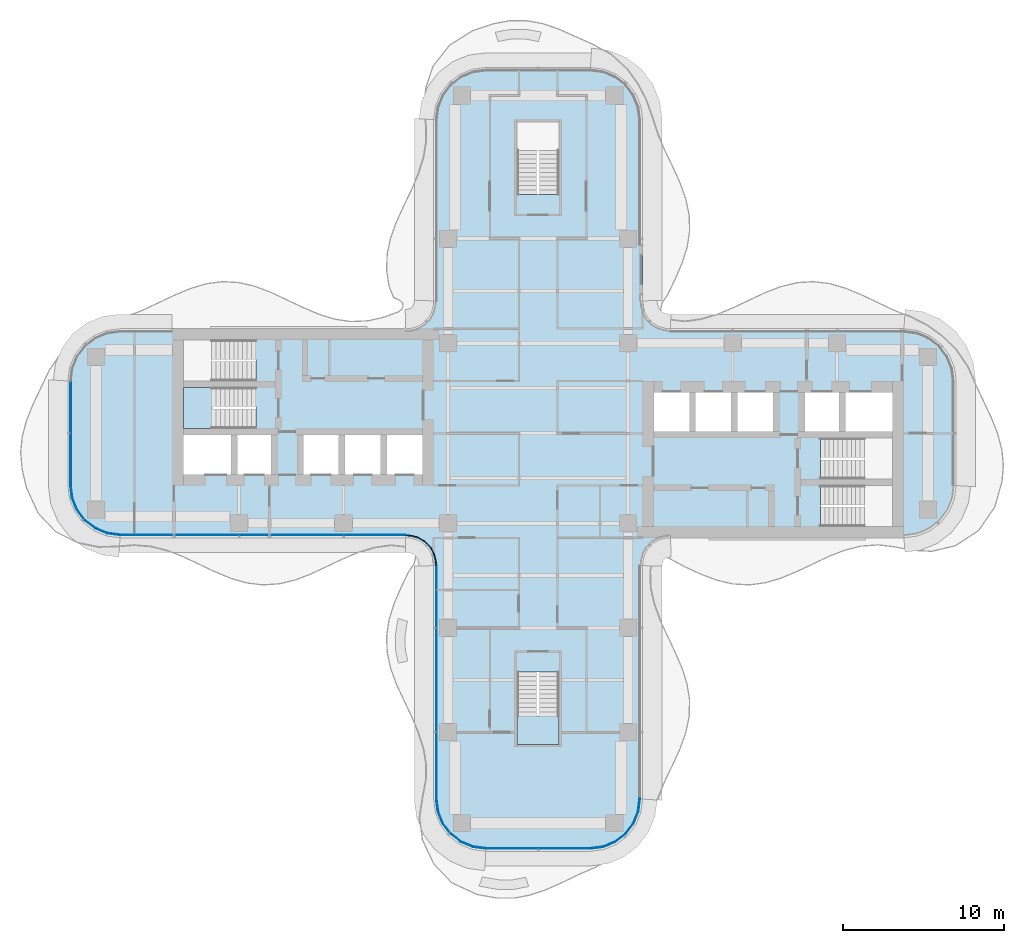
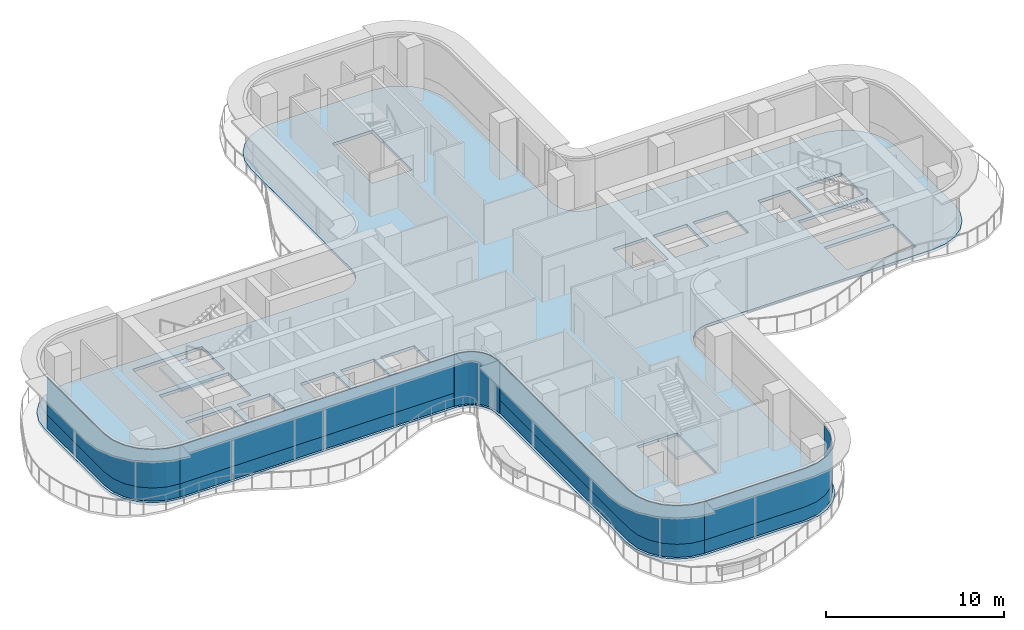
# One storey, part 10 of 18: 9 plates, 3 slabs, 7 elements without a shape of their own.
"""IFC4 building model written with IfcOpenShell, lengths in metres."""

from ifc_helpers import new_model, si_unit, direction, frame, origin, place, context, subcontext, project, spatial, polyline, outline, extrude, source, transform, mapped, material, layer, layer_set, type_object, element, aggregate, save


model = new_model("IFC4")

# Units and contexts
model_context = context("Model", 3, precision=1e-05, world=origin(), true_north=direction((0.0, 1.0)))
body_context = subcontext(model_context, "Body", "Model", "MODEL_VIEW")
ifc_project = project(units=[si_unit("LENGTHUNIT", "METRE"), si_unit("AREAUNIT", "SQUARE_METRE"), si_unit("VOLUMEUNIT", "CUBIC_METRE"), si_unit("PLANEANGLEUNIT", "RADIAN"), si_unit("MASSUNIT", "GRAM", prefix="KILO")], contexts=[model_context])

# Site, building, storey
site_placement = place(None, origin())
site = spatial("IfcSite", under=ifc_project, at=site_placement, CompositionType="ELEMENT")
building_placement = place(site_placement, origin())
building = spatial("IfcBuilding", under=site, at=building_placement, Name="Trellis Farm Tower", CompositionType="ELEMENT")
storey_placement = place(building_placement, frame((0.0, 0.0, 224.60009765625)))
storey = spatial("IfcBuildingStorey", under=building, at=storey_placement, Name="L49", CompositionType="ELEMENT", Elevation=224.60009765625)

# Slab
ifc_material_1 = material(Name="Concrete C40/50", Category="concrete")
ifc_layer_1 = layer(ifc_material_1, 0.199951171875)
ifc_layer_set_1 = layer_set([ifc_layer_1], Name="Composite deck floor slab 200")
slab_type_1 = type_object("IfcSlabType", Name="Composite deck floor slab 200", PredefinedType="FLOOR", material=ifc_layer_set_1)
slab_1_placement = place(storey_placement, frame((0.0, 0.0, -0.2001953125)))
element("IfcSlab", 1, at=slab_1_placement, inside=storey, type_object=slab_type_1, Name="Floor slab", PredefinedType="FLOOR", context=body_context, shape_type="SweptSolid", body=[
    extrude(outline(polyline([(-26.84130859375, -6.389404296875), (-27.625, -6.064697265625), (-28.298095703125, -5.548095703125), (-28.814697265625, -4.875), (-29.139404296875, -4.09130859375), (-29.25, -3.25), (-29.25, 3.25), (-29.139404296875, 4.09130859375), (-28.814697265625, 4.875), (-28.298095703125, 5.548095703125), (-27.625, 6.064697265625), (-26.84130859375, 6.389404296875), (-26.0, 6.5), (-8.2314453125, 6.5), (-8.01953125, 6.513916015625), (-7.91552734375, 6.527587890625), (-7.508544921875, 6.63671875), (-7.144287109375, 6.846923828125), (-6.846923828125, 7.144287109375), (-6.63671875, 7.508544921875), (-6.527587890625, 7.91552734375), (-6.513916015625, 8.01953125), (-6.5, 8.2314453125), (-6.5, 19.5), (-6.389404296875, 20.34130859375), (-6.064697265625, 21.125), (-5.548095703125, 21.798095703125), (-4.875, 22.314697265625), (-4.09130859375, 22.639404296875), (-3.25, 22.75), (3.25, 22.75), (4.09130859375, 22.639404296875), (4.875, 22.314697265625), (5.548095703125, 21.798095703125), (6.064697265625, 21.125), (6.389404296875, 20.34130859375), (6.5, 19.5), (6.5, 8.2314453125), (6.513916015625, 8.01953125), (6.527587890625, 7.91552734375), (6.63671875, 7.508544921875), (6.846923828125, 7.144287109375), (7.144287109375, 6.846923828125), (7.508544921875, 6.63671875), (7.91552734375, 6.527587890625), (8.01953125, 6.513916015625), (8.2314453125, 6.5), (22.75, 6.5), (23.59130859375, 6.389404296875), (24.375, 6.064697265625), (25.048095703125, 5.548095703125), (25.564697265625, 4.875), (25.889404296875, 4.09130859375), (26.0, 3.25), (26.0, -3.25), (25.889404296875, -4.09130859375), (25.564697265625, -4.875), (25.048095703125, -5.548095703125), (24.375, -6.064697265625), (23.59130859375, -6.389404296875), (22.75, -6.5), (8.2314453125, -6.5), (8.01953125, -6.513916015625), (7.91552734375, -6.527587890625), (7.508544921875, -6.63671875), (7.144287109375, -6.846923828125), (6.846923828125, -7.144287109375), (6.63671875, -7.508544921875), (6.527587890625, -7.91552734375), (6.513916015625, -8.01953125), (6.5, -8.2314453125), (6.5, -22.75), (6.389404296875, -23.59130859375), (6.064697265625, -24.375), (5.548095703125, -25.048095703125), (4.875, -25.564697265625), (4.09130859375, -25.889404296875), (3.25, -26.0), (-3.25, -26.0), (-4.09130859375, -25.889404296875), (-4.875, -25.564697265625), (-5.548095703125, -25.048095703125), (-6.064697265625, -24.375), (-6.389404296875, -23.59130859375), (-6.5, -22.75), (-6.5, -8.2314453125), (-6.513916015625, -8.01953125), (-6.527587890625, -7.91552734375), (-6.63671875, -7.508544921875), (-6.846923828125, -7.144287109375), (-7.144287109375, -6.846923828125), (-7.508544921875, -6.63671875), (-7.91552734375, -6.527587890625), (-8.01953125, -6.513916015625), (-8.2314453125, -6.5), (-26.0, -6.5), (-26.84130859375, -6.389404296875)]), holes=[polyline([(-22.050048828125, -0.10009765625), (-22.050048828125, -2.550048828125), (-19.10009765625, -2.550048828125), (-19.10009765625, -0.10009765625), (-22.050048828125, -0.10009765625)]), polyline([(-18.699951171875, -0.10009765625), (-18.699951171875, -2.550048828125), (-16.60009765625, -2.550048828125), (-16.60009765625, -0.10009765625), (-18.699951171875, -0.10009765625)]), polyline([(-14.60009765625, -0.10009765625), (-14.60009765625, -2.550048828125), (-12.39990234375, -2.550048828125), (-12.39990234375, -0.10009765625), (-14.60009765625, -0.10009765625)]), polyline([(-12.0, -0.10009765625), (-12.0, -2.550048828125), (-9.800048828125, -2.550048828125), (-9.800048828125, -0.10009765625), (-12.0, -0.10009765625)]), polyline([(-9.39990234375, -0.10009765625), (-9.39990234375, -2.550048828125), (-7.199951171875, -2.550048828125), (-7.199951171875, -0.10009765625), (-9.39990234375, -0.10009765625)]), polyline([(-17.56201171875, 1.64990234375), (-17.56201171875, 2.85009765625), (-22.050048828125, 2.85009765625), (-22.050048828125, 0.300048828125), (-17.56005859375, 0.300048828125), (-17.56005859375, 1.5), (-17.550048828125, 1.5), (-17.550048828125, 1.64990234375), (-17.56201171875, 1.64990234375)]), polyline([(-17.56201171875, 4.60009765625), (-17.56201171875, 5.800048828125), (-22.050048828125, 5.800048828125), (-22.050048828125, 3.25), (-17.56005859375, 3.25), (-17.56005859375, 4.449951171875), (-17.550048828125, 4.449951171875), (-17.550048828125, 4.60009765625), (-17.56201171875, 4.60009765625)]), polyline([(0.10009765625, 14.862060546875), (1.300048828125, 14.862060546875), (1.300048828125, 19.35009765625), (-1.300048828125, 19.35009765625), (-1.300048828125, 14.860107421875), (-0.10009765625, 14.860107421875), (-0.10009765625, 14.85009765625), (0.10009765625, 14.85009765625), (0.10009765625, 14.862060546875)]), polyline([(-0.10009765625, -14.862060546875), (-1.300048828125, -14.862060546875), (-1.300048828125, -19.35009765625), (1.300048828125, -19.35009765625), (1.300048828125, -14.860107421875), (0.10009765625, -14.860107421875), (0.10009765625, -14.85009765625), (-0.10009765625, -14.85009765625), (-0.10009765625, -14.862060546875)]), polyline([(17.56201171875, -4.60009765625), (17.56201171875, -5.800048828125), (22.050048828125, -5.800048828125), (22.050048828125, -3.25), (17.56005859375, -3.25), (17.56005859375, -4.449951171875), (17.550048828125, -4.449951171875), (17.550048828125, -4.60009765625), (17.56201171875, -4.60009765625)]), polyline([(17.56201171875, -1.64990234375), (17.56201171875, -2.85009765625), (22.050048828125, -2.85009765625), (22.050048828125, -0.300048828125), (17.56005859375, -0.300048828125), (17.56005859375, -1.5), (17.550048828125, -1.5), (17.550048828125, -1.64990234375), (17.56201171875, -1.64990234375)]), polyline([(9.39990234375, 0.10009765625), (9.39990234375, 2.550048828125), (7.199951171875, 2.550048828125), (7.199951171875, 0.10009765625), (9.39990234375, 0.10009765625)]), polyline([(12.0, 0.10009765625), (12.0, 2.550048828125), (9.800048828125, 2.550048828125), (9.800048828125, 0.10009765625), (12.0, 0.10009765625)]), polyline([(14.60009765625, 0.10009765625), (14.60009765625, 2.550048828125), (12.39990234375, 2.550048828125), (12.39990234375, 0.10009765625), (14.60009765625, 0.10009765625)]), polyline([(18.699951171875, 0.10009765625), (18.699951171875, 2.550048828125), (16.60009765625, 2.550048828125), (16.60009765625, 0.10009765625), (18.699951171875, 0.10009765625)]), polyline([(22.050048828125, 0.10009765625), (22.050048828125, 2.550048828125), (19.10009765625, 2.550048828125), (19.10009765625, 0.10009765625), (22.050048828125, 0.10009765625)])]), origin(), (0.0, 0.0, 1.0), 0.2001953125),
])

# Stair, slab
ifc_material_2 = material(Name="Concrete C50/60", Category="concrete")
stair_type = type_object("IfcStairType", Name="CORE EXIT STAIR 22 RISERS 177 MM", PredefinedType="HALF_TURN_STAIR", material=ifc_material_2)
placement_1 = place(storey_placement, origin())
stair_1 = element("IfcStair", 2, at=placement_1, inside=storey, type_object=stair_type, Name="Exit stair S", PredefinedType="HALF_TURN_STAIR")
ifc_layer_2 = layer(ifc_material_2, 0.18994140625)
ifc_layer_set_2 = layer_set([ifc_layer_2], Name="CORE STAIR LANDING 190 CONCRETE C50/60")
slab_type_2 = type_object("IfcSlabType", Name="CORE STAIR LANDING 190 CONCRETE C50/60", PredefinedType="LANDING", material=ifc_layer_set_2)
shared_shape_1 = source(origin(), body_context, "Body", "SweptSolid", [
    extrude(outline(polyline([(1.300048828125, -19.35009765625), (-1.300048828125, -19.35009765625), (-1.300048828125, -17.60009765625), (-1.300048828125, -17.590087890625), (-0.10009765625, -17.590087890625), (-0.10009765625, -17.60009765625), (0.10009765625, -17.60009765625), (0.10009765625, -17.27197265625), (1.300048828125, -17.27197265625), (1.300048828125, -17.60009765625), (1.300048828125, -19.35009765625)])), origin(), (0.0, 0.0, 1.0), 0.18994140625),
])
placement_2 = place(storey_placement, frame((0.0, 0.0, 1.760009765625)))
slab_2 = element("IfcSlab", 3, at=placement_2, type_object=slab_type_2, Name="STS landing 1", PredefinedType="LANDING", context=body_context, shape_type="MappedRepresentation", body=[
    mapped(shared_shape_1, transform((0.0, 0.0, 0.0))),
])
aggregate(stair_1, [slab_2])

stair_2 = element("IfcStair", 4, at=placement_1, inside=storey, type_object=stair_type, Name="Exit stair W2", PredefinedType="HALF_TURN_STAIR")
shared_shape_2 = source(origin(), body_context, "Body", "SweptSolid", [
    extrude(outline(polyline([(-19.971923828125, 1.5), (-19.971923828125, 0.300048828125), (-20.300048828125, 0.300048828125), (-22.050048828125, 0.300048828125), (-22.050048828125, 2.85009765625), (-20.300048828125, 2.85009765625), (-20.2900390625, 2.85009765625), (-20.2900390625, 1.64990234375), (-20.300048828125, 1.64990234375), (-20.300048828125, 1.5), (-19.971923828125, 1.5)])), origin(), (0.0, 0.0, 1.0), 0.18994140625),
])
slab_3 = element("IfcSlab", 5, at=placement_2, type_object=slab_type_2, Name="STW2 landing 1", PredefinedType="LANDING", context=body_context, shape_type="MappedRepresentation", body=[
    mapped(shared_shape_2, transform((0.0, 0.0, 0.0))),
])
aggregate(stair_2, [slab_3])

# Curtain wall, plate
ifc_material_3 = material(Name="Aluminium and glass curtain wall", Category="aluminium")
ifc_layer_3 = layer(ifc_material_3, 0.18994140625)
ifc_layer_set_3 = layer_set([ifc_layer_3], Name="RIBBON CURTAIN WALL CW1")
curtain_wall_type_1 = type_object("IfcCurtainWallType", Name="RIBBON CURTAIN WALL CW1", PredefinedType="NOTDEFINED", material=ifc_layer_set_3)
curtain_wall_1 = element("IfcCurtainWall", 6, at=placement_1, inside=storey, type_object=curtain_wall_type_1, Name="CW1 002", PredefinedType="NOTDEFINED")
ifc_material_4 = material(Name="Sandstone faced insulated panel", Category="masonry")
ifc_layer_4 = layer(ifc_material_4, 0.050048828125)
ifc_layer_set_4 = layer_set([ifc_layer_4], Name="CW1 STONE SPANDREL PANEL 50")
plate_type_1 = type_object("IfcPlateType", Name="CW1 STONE SPANDREL PANEL 50", PredefinedType="CURTAIN_PANEL", material=ifc_layer_set_4)
shared_shape_3 = source(origin(), body_context, "Body", "SweptSolid", [
    extrude(outline(polyline([(-6.35009765625, -8.2265625), (-6.35009765625, -22.740234375), (-6.2431640625, -23.552001953125), (-5.93359375, -24.29931640625), (-5.441162109375, -24.941162109375), (-4.79931640625, -25.43359375), (-4.052001953125, -25.7431640625), (-3.240234375, -25.85009765625), (-3.23681640625, -25.800048828125), (-4.0390625, -25.6943359375), (-4.774169921875, -25.389892578125), (-5.405517578125, -24.905517578125), (-5.889892578125, -24.274169921875), (-6.1943359375, -23.5390625), (-6.300048828125, -22.73681640625), (-6.300048828125, -8.224853515625), (-6.35009765625, -8.2265625)])), origin(), (0.0, 0.0, 1.0), 0.89990234375),
])
plate_1 = element("IfcPlate", 7, at=placement_1, type_object=plate_type_1, Name="PS1 002", PredefinedType="CURTAIN_PANEL", context=body_context, shape_type="MappedRepresentation", body=[
    mapped(shared_shape_3, transform((0.0, 0.0, 0.0))),
])

curtain_wall_2 = element("IfcCurtainWall", 8, at=placement_1, inside=storey, type_object=curtain_wall_type_1, Name="CW1 003", PredefinedType="NOTDEFINED")
shared_shape_4 = source(origin(), body_context, "Body", "SweptSolid", [
    extrude(outline(polyline([(-3.240234375, -25.85009765625), (3.240234375, -25.85009765625), (4.052001953125, -25.7431640625), (4.79931640625, -25.43359375), (5.441162109375, -24.941162109375), (5.93359375, -24.29931640625), (6.2431640625, -23.552001953125), (6.35009765625, -22.740234375), (6.300048828125, -22.73681640625), (6.1943359375, -23.5390625), (5.889892578125, -24.274169921875), (5.405517578125, -24.905517578125), (4.774169921875, -25.389892578125), (4.0390625, -25.6943359375), (3.23681640625, -25.800048828125), (-3.23681640625, -25.800048828125), (-3.240234375, -25.85009765625)])), origin(), (0.0, 0.0, 1.0), 0.89990234375),
])
plate_2 = element("IfcPlate", 9, at=placement_1, type_object=plate_type_1, Name="PS1 003", PredefinedType="CURTAIN_PANEL", context=body_context, shape_type="MappedRepresentation", body=[
    mapped(shared_shape_4, transform((0.0, 0.0, 0.0))),
])

# Curtain wall, plates
curtain_wall_3 = element("IfcCurtainWall", 10, at=placement_1, inside=storey, type_object=curtain_wall_type_1, Name="CW1 001", PredefinedType="NOTDEFINED")
ifc_material_5 = material(Name="Clear insulated glass", Category="glass")
ifc_layer_5 = layer(ifc_material_5, 0.0400390625)
ifc_layer_set_5 = layer_set([ifc_layer_5], Name="CW1 GLASS PANEL 40")
plate_type_2 = type_object("IfcPlateType", Name="CW1 GLASS PANEL 40", PredefinedType="CURTAIN_PANEL", material=ifc_layer_set_5)
shared_shape_5 = source(origin(), body_context, "Body", "SweptSolid", [
    extrude(outline(polyline([(-25.990234375, -6.35009765625), (-8.2265625, -6.35009765625), (-8.22509765625, -6.31005859375), (-25.987548828125, -6.31005859375), (-25.990234375, -6.35009765625)])), origin(), (0.0, 0.0, 1.0), 2.6201171875),
])
placement_3 = place(storey_placement, frame((0.0, 0.0, 0.89990234375)))
plate_3 = element("IfcPlate", 11, at=placement_3, type_object=plate_type_2, Name="PL1 001", PredefinedType="CURTAIN_PANEL", context=body_context, shape_type="MappedRepresentation", body=[
    mapped(shared_shape_5, transform((0.0, 0.0, 0.0))),
])
shared_shape_6 = source(origin(), body_context, "Body", "SweptSolid", [
    extrude(outline(polyline([(-25.990234375, -6.35009765625), (-8.2265625, -6.35009765625), (-8.224853515625, -6.300048828125), (-25.98681640625, -6.300048828125), (-25.990234375, -6.35009765625)])), origin(), (0.0, 0.0, 1.0), 0.89990234375),
])
plate_4 = element("IfcPlate", 12, at=placement_1, type_object=plate_type_1, Name="PS1 001", PredefinedType="CURTAIN_PANEL", context=body_context, shape_type="MappedRepresentation", body=[
    mapped(shared_shape_6, transform((0.0, 0.0, 0.0))),
])
aggregate(curtain_wall_3, [plate_3, plate_4])

# Plate
shared_shape_7 = source(origin(), body_context, "Body", "SweptSolid", [
    extrude(outline(polyline([(-6.35009765625, -8.2265625), (-6.35009765625, -22.740234375), (-6.2431640625, -23.552001953125), (-5.93359375, -24.29931640625), (-5.441162109375, -24.941162109375), (-4.79931640625, -25.43359375), (-4.052001953125, -25.7431640625), (-3.240234375, -25.85009765625), (-3.237548828125, -25.81005859375), (-4.04150390625, -25.7041015625), (-4.779296875, -25.398681640625), (-5.41259765625, -24.91259765625), (-5.898681640625, -24.279296875), (-6.2041015625, -23.54150390625), (-6.31005859375, -22.737548828125), (-6.31005859375, -8.22509765625), (-6.35009765625, -8.2265625)])), origin(), (0.0, 0.0, 1.0), 2.6201171875),
])
plate_5 = element("IfcPlate", 13, at=placement_3, type_object=plate_type_2, Name="PL1 002", PredefinedType="CURTAIN_PANEL", context=body_context, shape_type="MappedRepresentation", body=[
    mapped(shared_shape_7, transform((0.0, 0.0, 0.0))),
])

aggregate(curtain_wall_1, [plate_5, plate_1])

shared_shape_8 = source(origin(), body_context, "Body", "SweptSolid", [
    extrude(outline(polyline([(-3.240234375, -25.85009765625), (3.240234375, -25.85009765625), (4.052001953125, -25.7431640625), (4.79931640625, -25.43359375), (5.441162109375, -24.941162109375), (5.93359375, -24.29931640625), (6.2431640625, -23.552001953125), (6.35009765625, -22.740234375), (6.31005859375, -22.737548828125), (6.2041015625, -23.54150390625), (5.898681640625, -24.279296875), (5.41259765625, -24.91259765625), (4.779296875, -25.398681640625), (4.04150390625, -25.7041015625), (3.237548828125, -25.81005859375), (-3.237548828125, -25.81005859375), (-3.240234375, -25.85009765625)])), origin(), (0.0, 0.0, 1.0), 2.6201171875),
])
plate_6 = element("IfcPlate", 14, at=placement_3, type_object=plate_type_2, Name="PL1 003", PredefinedType="CURTAIN_PANEL", context=body_context, shape_type="MappedRepresentation", body=[
    mapped(shared_shape_8, transform((0.0, 0.0, 0.0))),
])

aggregate(curtain_wall_2, [plate_6, plate_2])

# Curtain wall, plates
curtain_wall_4 = element("IfcCurtainWall", 15, at=placement_1, inside=storey, type_object=curtain_wall_type_1, Name="CW1 013", PredefinedType="NOTDEFINED")
shared_shape_9 = source(origin(), body_context, "Body", "SweptSolid", [
    extrude(outline(polyline([(-29.10009765625, 3.240234375), (-29.10009765625, -3.240234375), (-28.9931640625, -4.052001953125), (-28.68359375, -4.79931640625), (-28.191162109375, -5.441162109375), (-27.54931640625, -5.93359375), (-26.802001953125, -6.2431640625), (-25.990234375, -6.35009765625), (-25.987548828125, -6.31005859375), (-26.79150390625, -6.2041015625), (-27.529296875, -5.898681640625), (-28.16259765625, -5.41259765625), (-28.648681640625, -4.779296875), (-28.9541015625, -4.04150390625), (-29.06005859375, -3.237548828125), (-29.06005859375, 3.237548828125), (-29.10009765625, 3.240234375)])), origin(), (0.0, 0.0, 1.0), 2.6201171875),
])
plate_7 = element("IfcPlate", 16, at=placement_3, type_object=plate_type_2, Name="PL1 013", PredefinedType="CURTAIN_PANEL", context=body_context, shape_type="MappedRepresentation", body=[
    mapped(shared_shape_9, transform((0.0, 0.0, 0.0))),
])
shared_shape_10 = source(origin(), body_context, "Body", "SweptSolid", [
    extrude(outline(polyline([(-29.10009765625, 3.240234375), (-29.10009765625, -3.240234375), (-28.9931640625, -4.052001953125), (-28.68359375, -4.79931640625), (-28.191162109375, -5.441162109375), (-27.54931640625, -5.93359375), (-26.802001953125, -6.2431640625), (-25.990234375, -6.35009765625), (-25.98681640625, -6.300048828125), (-26.7890625, -6.1943359375), (-27.524169921875, -5.889892578125), (-28.155517578125, -5.405517578125), (-28.639892578125, -4.774169921875), (-28.9443359375, -4.0390625), (-29.050048828125, -3.23681640625), (-29.050048828125, 3.23681640625), (-29.10009765625, 3.240234375)])), origin(), (0.0, 0.0, 1.0), 0.89990234375),
])
plate_8 = element("IfcPlate", 17, at=placement_1, type_object=plate_type_1, Name="PS1 013", PredefinedType="CURTAIN_PANEL", context=body_context, shape_type="MappedRepresentation", body=[
    mapped(shared_shape_10, transform((0.0, 0.0, 0.0))),
])
aggregate(curtain_wall_4, [plate_7, plate_8])

# Curtain wall, plate
ifc_layer_6 = layer(ifc_material_3, 0.166015625)
ifc_layer_set_6 = layer_set([ifc_layer_6], Name="WINTER GARDEN CURTAIN WALL CW3")
curtain_wall_type_2 = type_object("IfcCurtainWallType", Name="WINTER GARDEN CURTAIN WALL CW3", PredefinedType="NOTDEFINED", material=ifc_layer_set_6)
curtain_wall_5 = element("IfcCurtainWall", 18, at=placement_1, inside=storey, type_object=curtain_wall_type_2, Name="CW3 001", PredefinedType="NOTDEFINED")
ifc_layer_7 = layer(ifc_material_5, 0.0458984375)
ifc_layer_set_7 = layer_set([ifc_layer_7], Name="CW3 GLASS PANEL 46")
plate_type_3 = type_object("IfcPlateType", Name="CW3 GLASS PANEL 46", PredefinedType="CURTAIN_PANEL", material=ifc_layer_set_7)
shared_shape_11 = source(origin(), body_context, "Body", "SweptSolid", [
    extrude(outline(polyline([(-8.2275390625, -6.3798828125), (-8.0078125, -6.394287109375), (-7.89208984375, -6.40966796875), (-7.462158203125, -6.52490234375), (-7.070556640625, -6.7509765625), (-6.7509765625, -7.070556640625), (-6.52490234375, -7.462158203125), (-6.40966796875, -7.89208984375), (-6.394287109375, -8.0078125), (-6.3798828125, -8.2275390625), (-6.333984375, -8.22607421875), (-6.3486328125, -8.003173828125), (-6.364501953125, -7.883056640625), (-6.48193359375, -7.4443359375), (-6.714111328125, -7.04248046875), (-7.04248046875, -6.714111328125), (-7.4443359375, -6.48193359375), (-7.883056640625, -6.364501953125), (-8.003173828125, -6.3486328125), (-8.22607421875, -6.333984375), (-8.2275390625, -6.3798828125)])), origin(), (0.0, 0.0, 1.0), 3.5498046875),
])
plate_9 = element("IfcPlate", 19, at=placement_1, type_object=plate_type_3, Name="PL3 001", PredefinedType="CURTAIN_PANEL", context=body_context, shape_type="MappedRepresentation", body=[
    mapped(shared_shape_11, transform((0.0, 0.0, 0.0))),
])
aggregate(curtain_wall_5, [plate_9])

save(model, "model.ifc")
